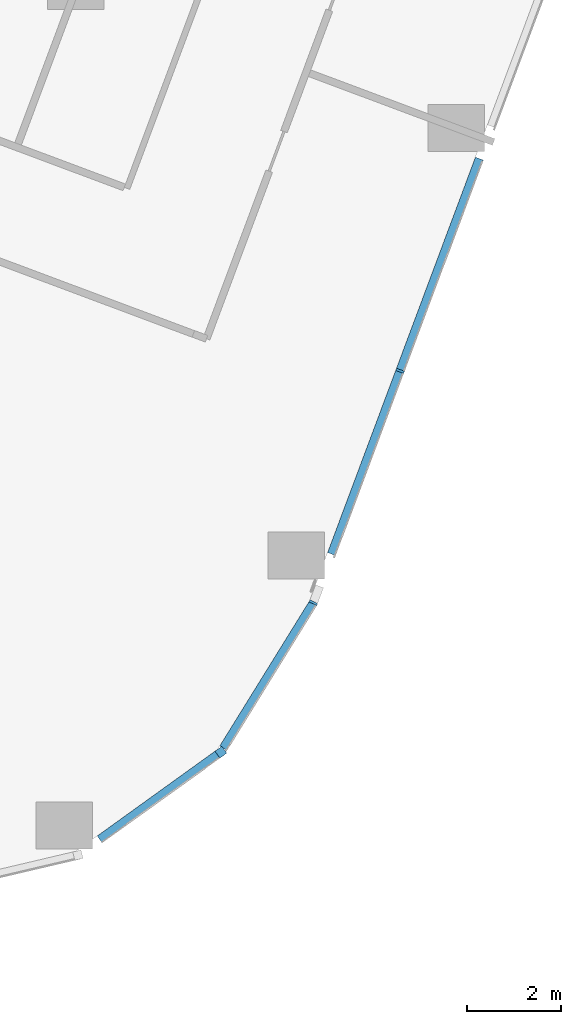
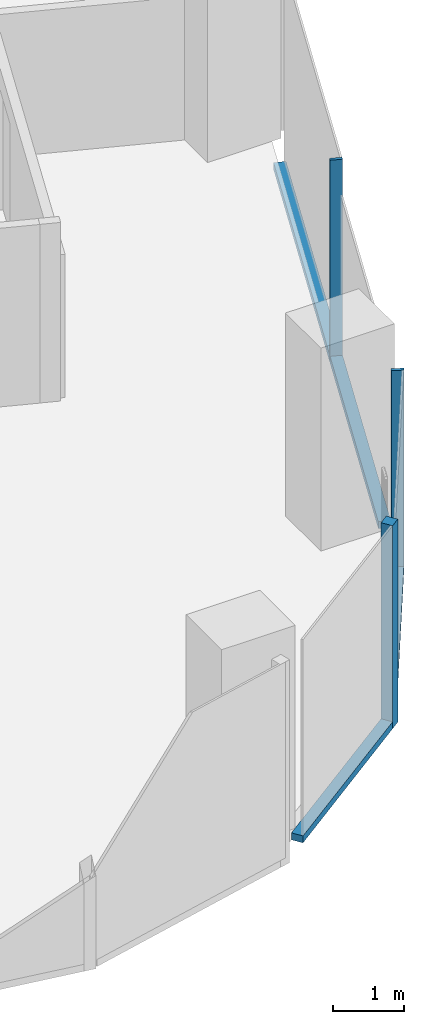
# One storey, part 9 of 31: 6 members, 3 elements without a shape of their own.
"""IFC4 building model written with IfcOpenShell, lengths in metres."""

import ifcopenshell
import ifcopenshell.guid

model = None  # the IFC model being written
_history = None  # IfcOwnerHistory: only IFC2X3 demands one
_inside = {}  # id of a spatial element -> (the spatial element, [elements in it])
_under = {}  # id of a project, library or spatial element -> (it, [spatial elements below it])
_declared = {}  # id of a project -> (the project, [libraries it declares])
_typed = {}  # id of a type object -> (the type object, [elements of that type])
_made_of = {}  # id of a material, layer set ... -> (it, [elements and type objects made of it])


def new_model(schema):
    """Start an empty IFC model of exactly this schema.

    Asked for "IFC4X3", IfcOpenShell would pick the latest addendum, in which some entities
    have other attributes; the version numbers below select the first issue.
    IFC2X3 requires an IfcOwnerHistory on every rooted entity: one is made here for all.
    """
    global model, _history
    if schema == "IFC4X3":
        model = ifcopenshell.file(schema_version=(4, 3, 0, 0))
    else:
        model = ifcopenshell.file(schema=schema)
    _inside.clear()
    _under.clear()
    _declared.clear()
    _typed.clear()
    _made_of.clear()
    _history = None
    if model.schema == "IFC2X3":
        org = make("IfcOrganization", Name="unknown")
        user = make(
            "IfcPersonAndOrganization",
            ThePerson=make("IfcPerson", FamilyName="unknown"),
            TheOrganization=org,
        )
        app = make(
            "IfcApplication",
            ApplicationDeveloper=org,
            Version="unknown",
            ApplicationFullName="unknown",
            ApplicationIdentifier="unknown",
        )
        _history = make(
            "IfcOwnerHistory",
            OwningUser=user,
            OwningApplication=app,
            ChangeAction="ADDED",
            CreationDate=0,
        )
    return model


def make(cls, **values):
    """One entity of the class cls with the attributes given. An attribute that is None is left unset."""
    return model.create_entity(
        cls, **{name: value for name, value in values.items() if value is not None}
    )


def rooted(cls, **values):
    """An entity with a GlobalId (a new one), such as an element, a storey or a relation."""
    return make(cls, GlobalId=ifcopenshell.guid.new(), OwnerHistory=_history, **values)


def si_unit(unit_type, name, prefix=None):
    """IfcSIUnit, for example si_unit("LENGTHUNIT", "METRE", prefix="MILLI")."""
    return make("IfcSIUnit", UnitType=unit_type, Prefix=prefix, Name=name)


def assignment(units):
    """IfcUnitAssignment: the units of a project."""
    return None if units is None else make("IfcUnitAssignment", Units=units)


def point(xyz):
    """IfcCartesianPoint."""
    return None if xyz is None else make("IfcCartesianPoint", Coordinates=xyz)


def direction(xyz):
    """IfcDirection."""
    return None if xyz is None else make("IfcDirection", DirectionRatios=xyz)


def frame(location, z_axis=None, x_axis=None):
    """IfcAxis2Placement3D, a coordinate frame: its origin and axes. An axis left out is left unset."""
    return make(
        "IfcAxis2Placement3D",
        Location=point(location),
        Axis=direction(z_axis),
        RefDirection=direction(x_axis),
    )


def frame_2d(location, x_axis=None):
    """IfcAxis2Placement2D, a coordinate frame in the plane: its origin and x axis."""
    return make(
        "IfcAxis2Placement2D", Location=point(location), RefDirection=direction(x_axis)
    )


def origin():
    """The frame at (0, 0, 0) with its axes left unset."""
    return frame((0.0, 0.0, 0.0))


def origin_2d():
    """The frame at (0, 0) in the plane with its x axis left unset."""
    return frame_2d((0.0, 0.0))


def place(relative_to, where):
    """IfcLocalPlacement: puts the frame where relative to a parent placement (None: the world)."""
    return make(
        "IfcLocalPlacement", PlacementRelTo=relative_to, RelativePlacement=where
    )


def context(
    kind, dimensions, precision=None, world=None, true_north=None, identifier=None
):
    """IfcGeometricRepresentationContext, for example the 3D "Model" context."""
    return make(
        "IfcGeometricRepresentationContext",
        ContextIdentifier=identifier,
        ContextType=kind,
        CoordinateSpaceDimension=dimensions,
        Precision=precision,
        WorldCoordinateSystem=world,
        TrueNorth=true_north,
    )


def subcontext(parent, identifier, kind, view, scale=None):
    """IfcGeometricRepresentationSubContext, for example "Body" below "Model"."""
    return make(
        "IfcGeometricRepresentationSubContext",
        ContextIdentifier=identifier,
        ContextType=kind,
        ParentContext=parent,
        TargetScale=scale,
        TargetView=view,
    )


def project(units=None, contexts=None):
    """IfcProject with its units and contexts."""
    return rooted(
        "IfcProject",
        Name="project",
        RepresentationContexts=contexts,
        UnitsInContext=assignment(units),
    )


def spatial(cls, under=None, at=None, **own):
    """A site, building, storey or space (cls), placed at a placement, below another one or the project."""
    s = rooted(cls, ObjectPlacement=at, **own)
    if under is not None:
        _under.setdefault(under.id(), (under, []))[1].append(s)
    return s


def profile(cls, at=None, kind="AREA", **sizes):
    """A parametric profile (cls). Its sizes go by their IFC names, for example OverallWidth=200.0."""
    return make(cls, ProfileType=kind, Position=at, **sizes)


def rectangle(**sizes):
    """IfcRectangleProfileDef."""
    return profile("IfcRectangleProfileDef", **sizes)


def extrude(swept, where, along, depth):
    """IfcExtrudedAreaSolid: the profile swept, set in the frame where, extruded along a direction by depth."""
    return make(
        "IfcExtrudedAreaSolid",
        SweptArea=swept,
        Position=where,
        ExtrudedDirection=direction(along),
        Depth=depth,
    )


def shape(context_of_items, identifier, shape_type, items):
    """IfcShapeRepresentation: the items that make up one representation, for example the "Body"."""
    return make(
        "IfcShapeRepresentation",
        ContextOfItems=context_of_items,
        RepresentationIdentifier=identifier,
        RepresentationType=shape_type,
        Items=items,
    )


def material(Name=None, Category=None):
    """IfcMaterial."""
    return make("IfcMaterial", Name=Name, Category=Category)


def material_profile(
    of_material, cross_section, Name=None, Category=None, Priority=None
):
    """IfcMaterialProfile: a cross section and its material."""
    return make(
        "IfcMaterialProfile",
        Name=Name,
        Material=of_material,
        Profile=cross_section,
        Priority=Priority,
        Category=Category,
    )


def profile_set(profiles, Name=None, composite=None):
    """IfcMaterialProfileSet."""
    return make(
        "IfcMaterialProfileSet",
        Name=Name,
        MaterialProfiles=profiles,
        CompositeProfile=composite,
    )


def made_of(thing, what):
    """Note that an element or type object is made of a material, layer set ...; save() writes the relation."""
    if what is not None:
        _made_of.setdefault(what.id(), (what, []))[1].append(thing)
    return thing


def type_object(cls, material=None, **own):
    """A type object (cls), such as IfcWallType, which elements share."""
    return made_of(rooted(cls, **own), material)


def element(
    cls,
    number,
    at=None,
    inside=None,
    cuts=None,
    type_object=None,
    material=None,
    context=None,
    identifier="Body",
    shape_type=None,
    held_by="IfcProductDefinitionShape",
    body=None,
    shapes=None,
    **own,
):
    """One element of the class cls, such as IfcWall. Its Tag is "e" and its number.

    at: its placement. inside: the storey or other place that contains it. cuts: it is an
    opening in that element (IfcRelVoidsElement). A single representation is given by context,
    identifier, shape_type and body (its items); several are given by shapes. held_by: the class
    of the entity that holds the representations. save() writes the other relations.
    """
    e = rooted(cls, Tag="e%d" % number, ObjectPlacement=at, **own)
    if body is not None:
        shapes = [shape(context, identifier, shape_type, body)]
    if shapes is not None:
        e.Representation = make(held_by, Representations=shapes)
    if inside is not None:
        _inside.setdefault(inside.id(), (inside, []))[1].append(e)
    if cuts is not None:
        rooted(
            "IfcRelVoidsElement", RelatingBuildingElement=cuts, RelatedOpeningElement=e
        )
    if type_object is not None:
        _typed.setdefault(type_object.id(), (type_object, []))[1].append(e)
    return made_of(e, material)


def aggregate(whole, parts):
    """IfcRelAggregates: a whole, such as a stair, and the parts it consists of."""
    return rooted("IfcRelAggregates", RelatingObject=whole, RelatedObjects=parts)


def save(model, path):
    """Write the relations noted so far, then the file.

    IfcRelAggregates (storeys below a building ...), IfcRelContainedInSpatialStructure (elements
    in a storey), IfcRelDefinesByType, IfcRelAssociatesMaterial and IfcRelDeclares: one each for
    every whole, place, type object, material and project.
    """
    for whole, parts in _under.values():
        aggregate(whole, parts)
    for where, things in _inside.values():
        rooted(
            "IfcRelContainedInSpatialStructure",
            RelatedElements=things,
            RelatingStructure=where,
        )
    for kind, things in _typed.values():
        rooted("IfcRelDefinesByType", RelatedObjects=things, RelatingType=kind)
    for what, things in _made_of.values():
        rooted("IfcRelAssociatesMaterial", RelatedObjects=things, RelatingMaterial=what)
    for by, libraries in _declared.values():
        rooted("IfcRelDeclares", RelatingContext=by, RelatedDefinitions=libraries)
    model.write(path)


model = new_model("IFC4")

# Units and contexts
model_context = context("Model", 3, precision=1e-05, world=origin(), true_north=direction((0.0, 1.0)))
body_context = subcontext(model_context, "Body", "Model", "MODEL_VIEW")
ifc_project = project(units=[si_unit("LENGTHUNIT", "METRE"), si_unit("AREAUNIT", "SQUARE_METRE"), si_unit("VOLUMEUNIT", "CUBIC_METRE"), si_unit("PLANEANGLEUNIT", "RADIAN"), si_unit("MASSUNIT", "GRAM", prefix="KILO")], contexts=[model_context])

# Site, building, storey
site_placement = place(None, origin())
site = spatial("IfcSite", under=ifc_project, at=site_placement, CompositionType="ELEMENT")
building_placement = place(site_placement, origin())
building = spatial("IfcBuilding", under=site, at=building_placement, Name="Orlundy Tower", CompositionType="ELEMENT")
storey_placement = place(building_placement, frame((0.0, 0.0, 94.699951171875)))
storey = spatial("IfcBuildingStorey", under=building, at=storey_placement, Name="L23", CompositionType="ELEMENT", Elevation=94.699951171875)

# Curtain wall, member
ifc_material_1 = material(Name="Aluminium bronze anodised", Category="aluminium")
curtain_wall_type = type_object("IfcCurtainWallType", Name="CW1 wall", PredefinedType="NOTDEFINED", material=ifc_material_1)
curtain_wall_1_placement = place(storey_placement, origin())
curtain_wall_1 = element("IfcCurtainWall", 1, at=curtain_wall_1_placement, inside=storey, type_object=curtain_wall_type, Name="CW1 run 013", PredefinedType="NOTDEFINED")
ifc_material_2 = material(Name="Aluminium bronze anodised", Category="aluminium")
ifc_material_profile_1 = material_profile(ifc_material_2, rectangle(XDim=0.179931640625, YDim=0.179931640625, at=origin_2d()), Name="CW1 corner post 180x180")
ifc_profile_set_1 = profile_set([ifc_material_profile_1], Name="Aluminium bronze anodised")
member_type_1 = type_object("IfcMemberType", Name="CW1 corner post 180x180", PredefinedType="MULLION", material=ifc_profile_set_1)
member_1_placement = place(storey_placement, frame((50.171142578125, -33.886474609375, -0.39990234375), z_axis=(0.0, 0.0, 1.0), x_axis=(0.584347367051, -0.811503638082, 0.0)))
member_1 = element("IfcMember", 2, at=member_1_placement, type_object=member_type_1, Name="CW1 mullion 41", PredefinedType="MULLION", context=body_context, shape_type="SweptSolid", body=[
    extrude(rectangle(XDim=0.179931640625, YDim=0.179931640625, at=origin_2d()), origin(), (0.0, 0.0, 1.0), 3.5),
])

curtain_wall_2_placement = place(storey_placement, origin())
curtain_wall_2 = element("IfcCurtainWall", 3, at=curtain_wall_2_placement, inside=storey, type_object=curtain_wall_type, Name="CW1 run 011", PredefinedType="NOTDEFINED")
ifc_material_3 = material(Name="Aluminium bronze anodised", Category="aluminium")
ifc_material_profile_2 = material_profile(ifc_material_3, rectangle(XDim=0.179931640625, YDim=0.050048828125, at=origin_2d()), Name="CW1 mullion 50x180")
ifc_profile_set_2 = profile_set([ifc_material_profile_2], Name="Aluminium bronze anodised")
member_type_2 = type_object("IfcMemberType", Name="CW1 mullion 50x180", PredefinedType="MULLION", material=ifc_profile_set_2)
member_2_placement = place(storey_placement, frame((53.977783203125, -25.7861328125, -0.39990234375), z_axis=(0.0, 0.0, 1.0), x_axis=(0.936677057252, -0.350194360916, 0.0)))
member_2 = element("IfcMember", 4, at=member_2_placement, type_object=member_type_2, Name="CW1 mullion 39", PredefinedType="MULLION", context=body_context, shape_type="SweptSolid", body=[
    extrude(rectangle(XDim=0.179931640625, YDim=0.050048828125, at=origin_2d()), origin(), (0.0, 0.0, 1.0), 3.5),
])

curtain_wall_3_placement = place(storey_placement, origin())
curtain_wall_3 = element("IfcCurtainWall", 5, at=curtain_wall_3_placement, inside=storey, type_object=curtain_wall_type, Name="CW1 run 012", PredefinedType="NOTDEFINED")
member_3_placement = place(storey_placement, frame((52.13623046875, -30.7119140625, -0.39990234375), z_axis=(0.0, 0.0, 1.0), x_axis=(0.897814185367, -0.44037448672, 0.0)))
member_3 = element("IfcMember", 6, at=member_3_placement, type_object=member_type_2, Name="CW1 mullion 40", PredefinedType="MULLION", context=body_context, shape_type="SweptSolid", body=[
    extrude(rectangle(XDim=0.179931640625, YDim=0.050048828125, at=origin_2d()), origin(), (0.0, 0.0, 1.0), 3.5),
])

# Member
ifc_material_4 = material(Name="Aluminium bronze anodised", Category="aluminium")
ifc_material_profile_3 = material_profile(ifc_material_4, rectangle(XDim=0.179931640625, YDim=0.1201171875, at=origin_2d()), Name="CW1 transom 180x120")
ifc_profile_set_3 = profile_set([ifc_material_profile_3], Name="Aluminium bronze anodised")
member_type_3 = type_object("IfcMemberType", Name="CW1 transom 180x120", PredefinedType="USERDEFINED", material=ifc_profile_set_3)
member_4_placement = place(storey_placement, frame((55.66357421875, -21.277099609375, -0.33984375), z_axis=(-0.350201406125, -0.936674423238, 0.0), x_axis=(0.936674423238, -0.350201406125, 0.0)))
member_4 = element("IfcMember", 7, at=member_4_placement, type_object=member_type_3, Name="CW1 transom", ObjectType="TRANSOM", PredefinedType="USERDEFINED", context=body_context, shape_type="SweptSolid", body=[
    extrude(rectangle(XDim=0.179931640625, YDim=0.1201171875, at=origin_2d()), origin(), (0.0, 0.0, 1.0), 8.968017578125),
])

aggregate(curtain_wall_2, [member_2, member_4])

member_5_placement = place(storey_placement, frame((52.123046875, -30.733154296875, -0.33984375), z_axis=(-0.526317375067, -0.850288198614, 0.0), x_axis=(0.850288198614, -0.526317375067, 0.0)))
member_5 = element("IfcMember", 8, at=member_5_placement, type_object=member_type_3, Name="CW1 transom", ObjectType="TRANSOM", PredefinedType="USERDEFINED", context=body_context, shape_type="SweptSolid", body=[
    extrude(rectangle(XDim=0.179931640625, YDim=0.1201171875, at=origin_2d()), origin(), (0.0, 0.0, 1.0), 3.611083984375),
])

aggregate(curtain_wall_3, [member_3, member_5])

member_6_placement = place(storey_placement, frame((50.09814453125, -33.939208984375, -0.33984375), z_axis=(-0.811511804661, -0.58433602567, 0.0), x_axis=(0.58433602567, -0.811511804661, 0.0)))
member_6 = element("IfcMember", 9, at=member_6_placement, type_object=member_type_3, Name="CW1 transom", ObjectType="TRANSOM", PredefinedType="USERDEFINED", context=body_context, shape_type="SweptSolid", body=[
    extrude(rectangle(XDim=0.179931640625, YDim=0.1201171875, at=origin_2d()), origin(), (0.0, 0.0, 1.0), 3.082275390625),
])

aggregate(curtain_wall_1, [member_1, member_6])

save(model, "model.ifc")
